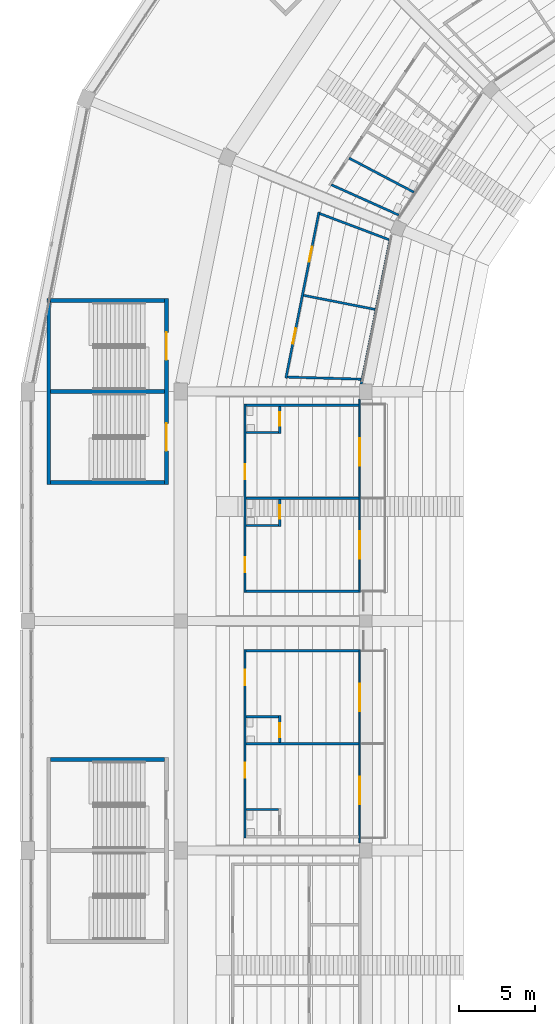
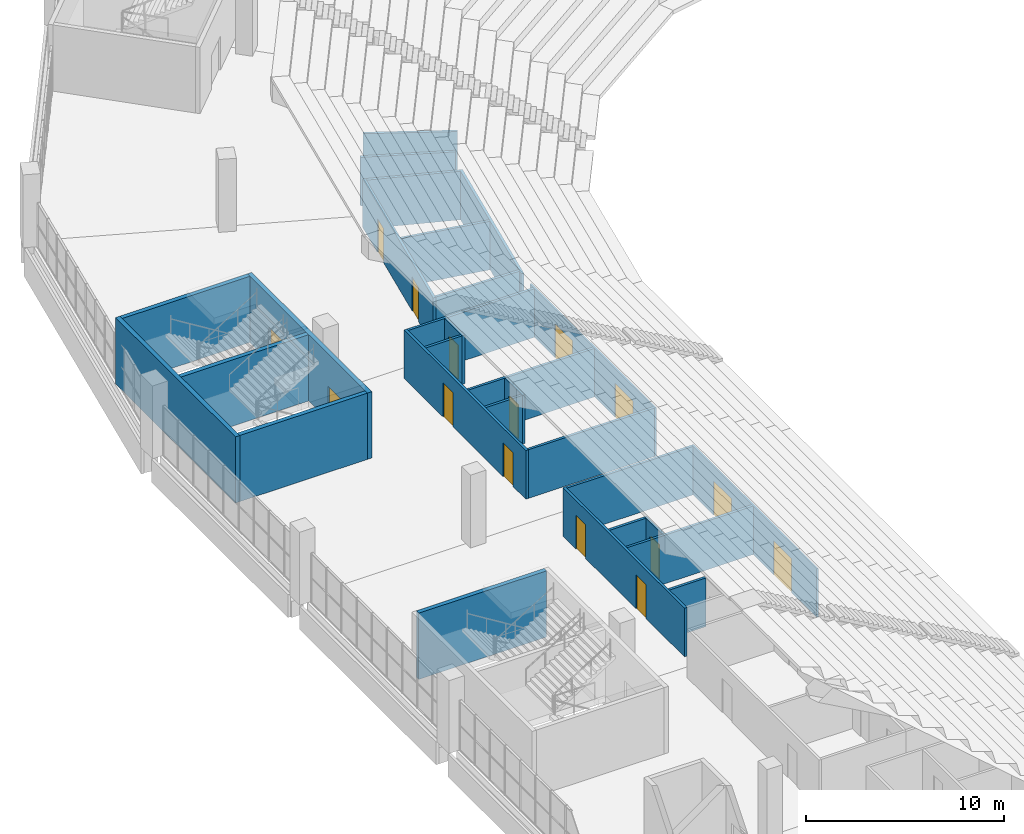
# One storey, part 94 of 249: 29 walls, 15 doors, 15 openings.
"""IFC4 building model written with IfcOpenShell, lengths in metres."""

from ifc_helpers import new_model, si_unit, direction, frame, frame_2d, origin, place, context, subcontext, project, spatial, rectangle, extrude, material, layer, layer_set, type_object, element, fill, save


model = new_model("IFC4")

# Units and contexts
model_context = context("Model", 3, precision=1e-05, world=origin(), true_north=direction((0.0, 1.0)))
body_context = subcontext(model_context, "Body", "Model", "MODEL_VIEW")
ifc_project = project(units=[si_unit("LENGTHUNIT", "METRE"), si_unit("AREAUNIT", "SQUARE_METRE"), si_unit("VOLUMEUNIT", "CUBIC_METRE"), si_unit("PLANEANGLEUNIT", "RADIAN"), si_unit("MASSUNIT", "GRAM", prefix="KILO")], contexts=[model_context])

# Site, building, storey
site_placement = place(None, origin())
site = spatial("IfcSite", under=ifc_project, at=site_placement, CompositionType="ELEMENT")
building_placement = place(site_placement, origin())
building = spatial("IfcBuilding", under=site, at=building_placement, Name="Ogive Plaza Stadium", CompositionType="ELEMENT")
storey_placement = place(building_placement, frame((0.0, 0.0, 13.5)))
storey = spatial("IfcBuildingStorey", under=building, at=storey_placement, Name="L03", CompositionType="ELEMENT", Elevation=13.5)

# Wall, openings, doors
ifc_material_1 = material(Name="Masonry blockwork", Category="masonry")
ifc_layer_1 = layer(ifc_material_1, 0.14990234375)
ifc_layer_set_1 = layer_set([ifc_layer_1], Name="Blockwork wall 150")
wall_type_1 = type_object("IfcWallType", Name="Blockwork wall 150", PredefinedType="SOLIDWALL", material=ifc_layer_set_1)
wall_1_placement = place(storey_placement, frame((-69.800048828125, 23.324951171875, 0.0), z_axis=(0.0, 0.0, 1.0), x_axis=(0.0, 1.0, 0.0)))
wall_1 = element("IfcWall", 1, at=wall_1_placement, inside=storey, type_object=wall_type_1, Name="Wall L03 B26", PredefinedType="SOLIDWALL", context=body_context, shape_type="SweptSolid", body=[
    extrude(rectangle(XDim=12.300048828125, YDim=0.14990234375, at=frame_2d((6.14990234375, 0.0))), origin(), (0.0, 0.0, 1.0), 3.0),
])
opening_1_placement = place(wall_1_placement, frame((3.916015625, 0.0, 0.0)))
opening_1 = element("IfcOpeningElement", 2, at=opening_1_placement, cuts=wall_1, Name="Opening D0853", PredefinedType="OPENING", context=body_context, shape_type="SweptSolid", body=[
    extrude(rectangle(XDim=1.0, YDim=2.10009765625, at=frame_2d((0.5, 1.050048828125))), frame((0.0, 0.074951171875, 0.0), z_axis=(0.0, -1.0, 0.0), x_axis=(1.0, 0.0, 0.0)), (0.0, 0.0, 1.0), 0.14990234375),
])
opening_2_placement = place(wall_1_placement, frame((9.990966796875, 0.0, 0.0)))
opening_2 = element("IfcOpeningElement", 3, at=opening_2_placement, cuts=wall_1, Name="Opening D0854", PredefinedType="OPENING", context=body_context, shape_type="SweptSolid", body=[
    extrude(rectangle(XDim=1.0, YDim=2.10009765625, at=frame_2d((0.5, 1.050048828125))), frame((0.0, 0.074951171875, 0.0), z_axis=(0.0, -1.0, 0.0), x_axis=(1.0, 0.0, 0.0)), (0.0, 0.0, 1.0), 0.14990234375),
])
ifc_material_2 = material(Name="Steel ASTM A572 Grade 50", Category="steel")
door_type_1 = type_object("IfcDoorType", Name="Fire door FD30S 1000 x 2100", OperationType="SINGLE_SWING_LEFT", PredefinedType="DOOR", material=ifc_material_2)
door_1_placement = place(opening_1_placement, origin())
door_1 = element("IfcDoor", 4, at=door_1_placement, inside=storey, type_object=door_type_1, Name="Hospitality Suite B26 door", OperationType="SINGLE_SWING_RIGHT", OverallHeight=2.10009765625, OverallWidth=1.0, PredefinedType="DOOR", context=body_context, shape_type="SweptSolid", body=[
    extrude(rectangle(XDim=1.0, YDim=2.10009765625, at=frame_2d((0.5, 1.050048828125))), frame((0.0, 0.02490234375, 0.0), z_axis=(0.0, -1.0, 0.0), x_axis=(1.0, 0.0, 0.0)), (0.0, 0.0, 1.0), 0.050048828125),
])
fill(opening_1, door_1)
door_2_placement = place(opening_2_placement, origin())
door_2 = element("IfcDoor", 5, at=door_2_placement, inside=storey, type_object=door_type_1, Name="Hospitality Suite B26 door", OperationType="SINGLE_SWING_RIGHT", OverallHeight=2.10009765625, OverallWidth=1.0, PredefinedType="DOOR", context=body_context, shape_type="SweptSolid", body=[
    extrude(rectangle(XDim=1.0, YDim=2.10009765625, at=frame_2d((0.5, 1.050048828125))), frame((0.0, 0.02490234375, 0.0), z_axis=(0.0, -1.0, 0.0), x_axis=(1.0, 0.0, 0.0)), (0.0, 0.0, 1.0), 0.050048828125),
])
fill(opening_2, door_2)

# Walls
for number, where, z_axis, x_axis, name in (
    (6, (-62.35009765625, 29.47509765625, 0.0), (0.0, 0.0, 1.0), (-1.0, 0.0, 0.0), "Wall L03 B26"),
    (7, (-62.35009765625, 35.550048828125, 0.0), (0.0, 0.0, 1.0), (-1.0, 0.0, 0.0), "Wall L03 B26"),
):
    element("IfcWall", number, at=place(storey_placement, frame(where, z_axis=z_axis, x_axis=x_axis)), inside=storey, type_object=wall_type_1, Name=name, PredefinedType="SOLIDWALL", context=body_context, shape_type="SweptSolid", body=[
        extrude(rectangle(XDim=7.375, YDim=0.14990234375, at=frame_2d((3.6875, 0.0))), origin(), (0.0, 0.0, 1.0), 3.0),
    ])

# Wall, openings, doors
wall_2_placement = place(storey_placement, frame((-69.800048828125, 51.675048828125, 0.0), z_axis=(0.0, 0.0, 1.0), x_axis=(0.0, -1.0, 0.0)))
wall_2 = element("IfcWall", 8, at=wall_2_placement, inside=storey, type_object=wall_type_1, Name="Wall L03 B27", PredefinedType="SOLIDWALL", context=body_context, shape_type="SweptSolid", body=[
    extrude(rectangle(XDim=12.300048828125, YDim=0.14990234375, at=frame_2d((6.14990234375, 0.0))), origin(), (0.0, 0.0, 1.0), 3.0),
])
opening_3_placement = place(wall_2_placement, frame((3.916015625, 0.0, 0.0)))
opening_3 = element("IfcOpeningElement", 9, at=opening_3_placement, cuts=wall_2, Name="Opening D0859", PredefinedType="OPENING", context=body_context, shape_type="SweptSolid", body=[
    extrude(rectangle(XDim=1.0, YDim=2.10009765625, at=frame_2d((0.5, 1.050048828125))), frame((0.0, 0.074951171875, 0.0), z_axis=(0.0, -1.0, 0.0), x_axis=(1.0, 0.0, 0.0)), (0.0, 0.0, 1.0), 0.14990234375),
])
opening_4_placement = place(wall_2_placement, frame((9.990966796875, 0.0, 0.0)))
opening_4 = element("IfcOpeningElement", 10, at=opening_4_placement, cuts=wall_2, Name="Opening D0860", PredefinedType="OPENING", context=body_context, shape_type="SweptSolid", body=[
    extrude(rectangle(XDim=1.0, YDim=2.10009765625, at=frame_2d((0.5, 1.050048828125))), frame((0.0, 0.074951171875, 0.0), z_axis=(0.0, -1.0, 0.0), x_axis=(1.0, 0.0, 0.0)), (0.0, 0.0, 1.0), 0.14990234375),
])
door_3_placement = place(opening_3_placement, origin())
door_3 = element("IfcDoor", 11, at=door_3_placement, inside=storey, type_object=door_type_1, Name="Hospitality Suite B27 door", OperationType="SINGLE_SWING_LEFT", OverallHeight=2.10009765625, OverallWidth=1.0, PredefinedType="DOOR", context=body_context, shape_type="SweptSolid", body=[
    extrude(rectangle(XDim=1.0, YDim=2.10009765625, at=frame_2d((0.5, 1.050048828125))), frame((0.0, 0.02490234375, 0.0), z_axis=(0.0, -1.0, 0.0), x_axis=(1.0, 0.0, 0.0)), (0.0, 0.0, 1.0), 0.050048828125),
])
fill(opening_3, door_3)
door_4_placement = place(opening_4_placement, origin())
door_4 = element("IfcDoor", 12, at=door_4_placement, inside=storey, type_object=door_type_1, Name="Hospitality Suite B27 door", OperationType="SINGLE_SWING_LEFT", OverallHeight=2.10009765625, OverallWidth=1.0, PredefinedType="DOOR", context=body_context, shape_type="SweptSolid", body=[
    extrude(rectangle(XDim=1.0, YDim=2.10009765625, at=frame_2d((0.5, 1.050048828125))), frame((0.0, 0.02490234375, 0.0), z_axis=(0.0, -1.0, 0.0), x_axis=(1.0, 0.0, 0.0)), (0.0, 0.0, 1.0), 0.050048828125),
])
fill(opening_4, door_4)

# Walls
for number, where, z_axis, x_axis, name in (
    (13, (-62.35009765625, 51.60009765625, 0.0), (0.0, 0.0, 1.0), (-1.0, 0.0, 0.0), "Wall L03 B27"),
    (14, (-62.35009765625, 45.52490234375, 0.0), (0.0, 0.0, 1.0), (-1.0, 0.0, 0.0), "Wall L03 B27"),
    (15, (-62.35009765625, 39.449951171875, 0.0), (0.0, 0.0, 1.0), (-1.0, 0.0, 0.0), "Wall L03 B27"),
):
    element("IfcWall", number, at=place(storey_placement, frame(where, z_axis=z_axis, x_axis=x_axis)), inside=storey, type_object=wall_type_1, Name=name, PredefinedType="SOLIDWALL", context=body_context, shape_type="SweptSolid", body=[
        extrude(rectangle(XDim=7.375, YDim=0.14990234375, at=frame_2d((3.6875, 0.0))), origin(), (0.0, 0.0, 1.0), 3.0),
    ])
wall_3_placement = place(storey_placement, frame((-62.200439453125, 53.0, 0.0), z_axis=(0.0, 0.0, 1.0), x_axis=(0.195076647143, 0.980788000406, 0.0)))
element("IfcWall", 16, at=wall_3_placement, inside=storey, type_object=wall_type_1, Name="Wall L03 B28", PredefinedType="SOLIDWALL", context=body_context, shape_type="SweptSolid", body=[
    extrude(rectangle(XDim=9.666748046875, YDim=0.14990234375, at=frame_2d((4.83349609375, 0.0))), origin(), (0.0, 0.0, 1.0), 3.0),
])

# Wall, openings, doors
wall_4_placement = place(storey_placement, frame((-67.1259765625, 53.374755859375, 0.0), z_axis=(0.0, 0.0, 1.0), x_axis=(0.195090821685, 0.980785181013, 0.0)))
wall_4 = element("IfcWall", 17, at=wall_4_placement, inside=storey, type_object=wall_type_1, Name="Wall L03 B28", PredefinedType="SOLIDWALL", context=body_context, shape_type="SweptSolid", body=[
    extrude(rectangle(XDim=11.08251953125, YDim=0.14990234375, at=frame_2d((5.541259765625, 0.0))), origin(), (0.0, 0.0, 1.0), 3.0),
])
opening_5_placement = place(wall_4_placement, frame((2.311279296875, 0.0, 0.0)))
opening_5 = element("IfcOpeningElement", 18, at=opening_5_placement, cuts=wall_4, Name="Opening D0865", PredefinedType="OPENING", context=body_context, shape_type="SweptSolid", body=[
    extrude(rectangle(XDim=1.0, YDim=2.10009765625, at=frame_2d((0.5, 1.050048828125))), frame((0.0, 0.074951171875, 0.0), z_axis=(0.0, -1.0, 0.0), x_axis=(1.0, 0.0, 0.0)), (0.0, 0.0, 1.0), 0.14990234375),
])
opening_6_placement = place(wall_4_placement, frame((7.771240234375, 0.0, 0.0)))
opening_6 = element("IfcOpeningElement", 19, at=opening_6_placement, cuts=wall_4, Name="Opening D0866", PredefinedType="OPENING", context=body_context, shape_type="SweptSolid", body=[
    extrude(rectangle(XDim=1.0, YDim=2.10009765625, at=frame_2d((0.5, 1.050048828125))), frame((0.0, 0.074951171875, 0.0), z_axis=(0.0, -1.0, 0.0), x_axis=(1.0, 0.0, 0.0)), (0.0, 0.0, 1.0), 0.14990234375),
])
ifc_material_3 = material(Name="Steel ASTM A572 Grade 50", Category="steel")
door_type_2 = type_object("IfcDoorType", Name="Fire door FD60 1000 x 2100", OperationType="SINGLE_SWING_LEFT", PredefinedType="DOOR", material=ifc_material_3)
door_5_placement = place(opening_5_placement, origin())
door_5 = element("IfcDoor", 20, at=door_5_placement, inside=storey, type_object=door_type_2, Name="Hospitality Pantry B28 door", OperationType="SINGLE_SWING_LEFT", OverallHeight=2.10009765625, OverallWidth=1.0, PredefinedType="DOOR", context=body_context, shape_type="SweptSolid", body=[
    extrude(rectangle(XDim=1.0, YDim=2.10009765625, at=frame_2d((0.5, 1.050048828125))), frame((0.0, 0.02490234375, 0.0), z_axis=(0.0, -1.0, 0.0), x_axis=(1.0, 0.0, 0.0)), (0.0, 0.0, 1.0), 0.050048828125),
])
fill(opening_5, door_5)
door_6_placement = place(opening_6_placement, origin())
door_6 = element("IfcDoor", 21, at=door_6_placement, inside=storey, type_object=door_type_2, Name="Hospitality Store B28 door", OperationType="SINGLE_SWING_RIGHT", OverallHeight=2.10009765625, OverallWidth=1.0, PredefinedType="DOOR", context=body_context, shape_type="SweptSolid", body=[
    extrude(rectangle(XDim=1.0, YDim=2.10009765625, at=frame_2d((0.5, 1.050048828125))), frame((0.0, 0.02490234375, 0.0), z_axis=(0.0, -1.0, 0.0), x_axis=(1.0, 0.0, 0.0)), (0.0, 0.0, 1.0), 0.050048828125),
])
fill(opening_6, door_6)

# Walls
wall_5_placement = place(storey_placement, frame((-62.213134765625, 53.313232421875, 0.0), z_axis=(0.0, 0.0, 1.0), x_axis=(-0.999585372371, 0.028793807365, 0.0)))
element("IfcWall", 22, at=wall_5_placement, inside=storey, type_object=wall_type_1, Name="Wall L03 B28", PredefinedType="SOLIDWALL", context=body_context, shape_type="SweptSolid", body=[
    extrude(rectangle(XDim=4.824462890625, YDim=0.14990234375, at=frame_2d((2.412109375, 0.0))), origin(), (0.0, 0.0, 1.0), 3.0),
])
wall_6_placement = place(storey_placement, frame((-61.3056640625, 57.87646484375, 0.0), z_axis=(0.0, 0.0, 1.0), x_axis=(-0.98116065749, 0.193193592529, 0.0)))
element("IfcWall", 23, at=wall_6_placement, inside=storey, type_object=wall_type_1, Name="Wall L03 B28", PredefinedType="SOLIDWALL", context=body_context, shape_type="SweptSolid", body=[
    extrude(rectangle(XDim=4.756591796875, YDim=0.14990234375, at=frame_2d((2.37841796875, 0.0))), origin(), (0.0, 0.0, 1.0), 3.0),
])
wall_7_placement = place(storey_placement, frame((-60.39794921875, 62.439697265625, 0.0), z_axis=(0.0, 0.0, 1.0), x_axis=(-0.935851757489, 0.35239393866, 0.0)))
element("IfcWall", 24, at=wall_7_placement, inside=storey, type_object=wall_type_1, Name="Wall L03 B28", PredefinedType="SOLIDWALL", context=body_context, shape_type="SweptSolid", body=[
    extrude(rectangle(XDim=4.8212890625, YDim=0.14990234375, at=frame_2d((2.41064453125, 0.0))), origin(), (0.0, 0.0, 1.0), 3.0),
])
ifc_material_4 = material(Name="Concrete C40/50", Category="concrete")
ifc_layer_2 = layer(ifc_material_4, 0.25)
ifc_layer_set_2 = layer_set([ifc_layer_2], Name="Concrete C40/50")
wall_type_2 = type_object("IfcWallType", Name="Core wall 250", PredefinedType="SHEAR", material=ifc_layer_set_2)
wall_8_placement = place(storey_placement, frame((-75.050048828125, 28.449951171875, 0.0), z_axis=(0.0, 0.0, 1.0), x_axis=(-1.0, 0.0, 0.0)))
element("IfcWall", 25, at=wall_8_placement, inside=storey, type_object=wall_type_2, Name="Stair core R26 side wall", PredefinedType="SHEAR", context=body_context, shape_type="SweptSolid", body=[
    extrude(rectangle(XDim=7.4599609375, YDim=0.25, at=frame_2d((3.72998046875, 0.0))), origin(), (0.0, 0.0, 1.0), 4.090087890625),
])

# Wall, openings, doors
wall_9_placement = place(storey_placement, frame((-74.925048828125, 58.574951171875, 0.0), z_axis=(0.0, 0.0, 1.0), x_axis=(0.0, -1.0, 0.0)))
wall_9 = element("IfcWall", 26, at=wall_9_placement, inside=storey, type_object=wall_type_2, Name="Stair core R28 inner wall", PredefinedType="SHEAR", context=body_context, shape_type="SweptSolid", body=[
    extrude(rectangle(XDim=12.14990234375, YDim=0.25, at=frame_2d((6.074951171875, 0.0))), origin(), (0.0, 0.0, 1.0), 4.090087890625),
])
opening_7_placement = place(wall_9_placement, frame((2.199951171875, 0.0, 0.0)))
opening_7 = element("IfcOpeningElement", 27, at=opening_7_placement, cuts=wall_9, Name="Opening D0215", PredefinedType="OPENING", context=body_context, shape_type="SweptSolid", body=[
    extrude(rectangle(XDim=1.800048828125, YDim=2.10009765625, at=frame_2d((0.89990234375, 1.050048828125))), frame((0.0, 0.125, 0.0), z_axis=(0.0, -1.0, 0.0), x_axis=(1.0, 0.0, 0.0)), (0.0, 0.0, 1.0), 0.25),
])
opening_8_placement = place(wall_9_placement, frame((8.14990234375, 0.0, 0.0)))
opening_8 = element("IfcOpeningElement", 28, at=opening_8_placement, cuts=wall_9, Name="Opening D0216", PredefinedType="OPENING", context=body_context, shape_type="SweptSolid", body=[
    extrude(rectangle(XDim=1.800048828125, YDim=2.10009765625, at=frame_2d((0.89990234375, 1.050048828125))), frame((0.0, 0.125, 0.0), z_axis=(0.0, -1.0, 0.0), x_axis=(1.0, 0.0, 0.0)), (0.0, 0.0, 1.0), 0.25),
])
ifc_material_5 = material(Name="Steel ASTM A572 Grade 50", Category="steel")
door_type_3 = type_object("IfcDoorType", Name="Fire door FD90 pair 1800 x 2100", OperationType="DOUBLE_DOOR_SINGLE_SWING", PredefinedType="DOOR", material=ifc_material_5)
door_7_placement = place(opening_7_placement, origin())
door_7 = element("IfcDoor", 29, at=door_7_placement, inside=storey, type_object=door_type_3, Name="Exit stair R28A door L03", OperationType="DOUBLE_DOOR_SINGLE_SWING", OverallHeight=2.10009765625, OverallWidth=1.800048828125, PredefinedType="DOOR", context=body_context, shape_type="SweptSolid", body=[
    extrude(rectangle(XDim=1.800048828125, YDim=2.10009765625, at=frame_2d((0.89990234375, 1.050048828125))), frame((0.0, 0.02490234375, 0.0), z_axis=(0.0, -1.0, 0.0), x_axis=(1.0, 0.0, 0.0)), (0.0, 0.0, 1.0), 0.050048828125),
])
fill(opening_7, door_7)
door_8_placement = place(opening_8_placement, origin())
door_8 = element("IfcDoor", 30, at=door_8_placement, inside=storey, type_object=door_type_3, Name="Exit stair R28B door L03", OperationType="DOUBLE_DOOR_SINGLE_SWING", OverallHeight=2.10009765625, OverallWidth=1.800048828125, PredefinedType="DOOR", context=body_context, shape_type="SweptSolid", body=[
    extrude(rectangle(XDim=1.800048828125, YDim=2.10009765625, at=frame_2d((0.89990234375, 1.050048828125))), frame((0.0, 0.02490234375, 0.0), z_axis=(0.0, -1.0, 0.0), x_axis=(1.0, 0.0, 0.0)), (0.0, 0.0, 1.0), 0.050048828125),
])
fill(opening_8, door_8)

# Walls
wall_10_placement = place(storey_placement, frame((-82.635009765625, 58.574951171875, 0.0), z_axis=(0.0, 0.0, 1.0), x_axis=(0.0, -1.0, 0.0)))
element("IfcWall", 31, at=wall_10_placement, inside=storey, type_object=wall_type_2, Name="Stair core R28 outer wall", PredefinedType="SHEAR", context=body_context, shape_type="SweptSolid", body=[
    extrude(rectangle(XDim=12.14990234375, YDim=0.25, at=frame_2d((6.074951171875, 0.0))), origin(), (0.0, 0.0, 1.0), 4.090087890625),
])
for number, where, z_axis, x_axis, name in (
    (32, (-75.050048828125, 58.449951171875, 0.0), (0.0, 0.0, 1.0), (-1.0, 0.0, 0.0), "Stair core R28 side wall"),
    (33, (-75.050048828125, 46.550048828125, 0.0), (0.0, 0.0, 1.0), (-1.0, 0.0, 0.0), "Stair core R28 side wall"),
    (34, (-75.050048828125, 52.5, 0.0), (0.0, 0.0, 1.0), (-1.0, 0.0, 0.0), "Stair core R28 centre wall"),
):
    element("IfcWall", number, at=place(storey_placement, frame(where, z_axis=z_axis, x_axis=x_axis)), inside=storey, type_object=wall_type_2, Name=name, PredefinedType="SHEAR", context=body_context, shape_type="SweptSolid", body=[
        extrude(rectangle(XDim=7.4599609375, YDim=0.25, at=frame_2d((3.72998046875, 0.0))), origin(), (0.0, 0.0, 1.0), 4.090087890625),
    ])

# Wall, openings, doors
ifc_material_6 = material(Name="Laminated glass in aluminium frame", Category="aluminium")
ifc_layer_3 = layer(ifc_material_6, 0.10009765625)
ifc_layer_set_3 = layer_set([ifc_layer_3], Name="Glazed partition 100")
wall_type_3 = type_object("IfcWallType", Name="Glazed partition 100", PredefinedType="PARTITIONING", material=ifc_layer_set_3)
wall_11_placement = place(storey_placement, frame((-62.300048828125, 23.0, 0.0), z_axis=(0.0, 0.0, 1.0), x_axis=(0.0, 1.0, 0.0)))
wall_11 = element("IfcWall", 35, at=wall_11_placement, inside=storey, type_object=wall_type_3, Name="Wall L03 B26", PredefinedType="PARTITIONING", context=body_context, shape_type="SweptSolid", body=[
    extrude(rectangle(XDim=12.625, YDim=0.10009765625, at=frame_2d((6.3125, 0.0))), origin(), (0.0, 0.0, 1.0), 3.0),
])
opening_9_placement = place(wall_11_placement, frame((2.53759765625, 0.0, 0.0)))
opening_9 = element("IfcOpeningElement", 36, at=opening_9_placement, cuts=wall_11, Name="Opening D0855", PredefinedType="OPENING", context=body_context, shape_type="SweptSolid", body=[
    extrude(rectangle(XDim=1.800048828125, YDim=2.10009765625, at=frame_2d((0.89990234375, 1.050048828125))), frame((0.0, 0.050048828125, 0.0), z_axis=(0.0, -1.0, 0.0), x_axis=(1.0, 0.0, 0.0)), (0.0, 0.0, 1.0), 0.10009765625),
])
opening_10_placement = place(wall_11_placement, frame((8.612548828125, 0.0, 0.0)))
opening_10 = element("IfcOpeningElement", 37, at=opening_10_placement, cuts=wall_11, Name="Opening D0856", PredefinedType="OPENING", context=body_context, shape_type="SweptSolid", body=[
    extrude(rectangle(XDim=1.800048828125, YDim=2.10009765625, at=frame_2d((0.89990234375, 1.050048828125))), frame((0.0, 0.050048828125, 0.0), z_axis=(0.0, -1.0, 0.0), x_axis=(1.0, 0.0, 0.0)), (0.0, 0.0, 1.0), 0.10009765625),
])
ifc_material_7 = material(Name="Steel ASTM A572 Grade 50", Category="steel")
door_type_4 = type_object("IfcDoorType", Name="Door pair 1800 x 2100", OperationType="DOUBLE_DOOR_SINGLE_SWING", PredefinedType="DOOR", material=ifc_material_7)
door_9_placement = place(opening_9_placement, origin())
door_9 = element("IfcDoor", 38, at=door_9_placement, inside=storey, type_object=door_type_4, Name="Suite terrace door B26", OperationType="DOUBLE_DOOR_SINGLE_SWING", OverallHeight=2.10009765625, OverallWidth=1.800048828125, PredefinedType="DOOR", context=body_context, shape_type="SweptSolid", body=[
    extrude(rectangle(XDim=1.800048828125, YDim=2.10009765625, at=frame_2d((0.89990234375, 1.050048828125))), frame((0.0, 0.02490234375, 0.0), z_axis=(0.0, -1.0, 0.0), x_axis=(1.0, 0.0, 0.0)), (0.0, 0.0, 1.0), 0.050048828125),
])
fill(opening_9, door_9)
door_10_placement = place(opening_10_placement, origin())
door_10 = element("IfcDoor", 39, at=door_10_placement, inside=storey, type_object=door_type_4, Name="Suite terrace door B26", OperationType="DOUBLE_DOOR_SINGLE_SWING", OverallHeight=2.10009765625, OverallWidth=1.800048828125, PredefinedType="DOOR", context=body_context, shape_type="SweptSolid", body=[
    extrude(rectangle(XDim=1.800048828125, YDim=2.10009765625, at=frame_2d((0.89990234375, 1.050048828125))), frame((0.0, 0.02490234375, 0.0), z_axis=(0.0, -1.0, 0.0), x_axis=(1.0, 0.0, 0.0)), (0.0, 0.0, 1.0), 0.050048828125),
])
fill(opening_10, door_10)

wall_12_placement = place(storey_placement, frame((-62.300048828125, 52.0, 0.0), z_axis=(0.0, 0.0, 1.0), x_axis=(0.0, -1.0, 0.0)))
wall_12 = element("IfcWall", 40, at=wall_12_placement, inside=storey, type_object=wall_type_3, Name="Wall L03 B27", PredefinedType="PARTITIONING", context=body_context, shape_type="SweptSolid", body=[
    extrude(rectangle(XDim=12.625, YDim=0.10009765625, at=frame_2d((6.3125, 0.0))), origin(), (0.0, 0.0, 1.0), 3.0),
])
opening_11_placement = place(wall_12_placement, frame((2.53759765625, 0.0, 0.0)))
opening_11 = element("IfcOpeningElement", 41, at=opening_11_placement, cuts=wall_12, Name="Opening D0861", PredefinedType="OPENING", context=body_context, shape_type="SweptSolid", body=[
    extrude(rectangle(XDim=1.800048828125, YDim=2.10009765625, at=frame_2d((0.89990234375, 1.050048828125))), frame((0.0, 0.050048828125, 0.0), z_axis=(0.0, -1.0, 0.0), x_axis=(1.0, 0.0, 0.0)), (0.0, 0.0, 1.0), 0.10009765625),
])
opening_12_placement = place(wall_12_placement, frame((8.612548828125, 0.0, 0.0)))
opening_12 = element("IfcOpeningElement", 42, at=opening_12_placement, cuts=wall_12, Name="Opening D0862", PredefinedType="OPENING", context=body_context, shape_type="SweptSolid", body=[
    extrude(rectangle(XDim=1.800048828125, YDim=2.10009765625, at=frame_2d((0.89990234375, 1.050048828125))), frame((0.0, 0.050048828125, 0.0), z_axis=(0.0, -1.0, 0.0), x_axis=(1.0, 0.0, 0.0)), (0.0, 0.0, 1.0), 0.10009765625),
])
door_11_placement = place(opening_11_placement, origin())
door_11 = element("IfcDoor", 43, at=door_11_placement, inside=storey, type_object=door_type_4, Name="Suite terrace door B27", OperationType="DOUBLE_DOOR_SINGLE_SWING", OverallHeight=2.10009765625, OverallWidth=1.800048828125, PredefinedType="DOOR", context=body_context, shape_type="SweptSolid", body=[
    extrude(rectangle(XDim=1.800048828125, YDim=2.10009765625, at=frame_2d((0.89990234375, 1.050048828125))), frame((0.0, 0.02490234375, 0.0), z_axis=(0.0, -1.0, 0.0), x_axis=(1.0, 0.0, 0.0)), (0.0, 0.0, 1.0), 0.050048828125),
])
fill(opening_11, door_11)
door_12_placement = place(opening_12_placement, origin())
door_12 = element("IfcDoor", 44, at=door_12_placement, inside=storey, type_object=door_type_4, Name="Suite terrace door B27", OperationType="DOUBLE_DOOR_SINGLE_SWING", OverallHeight=2.10009765625, OverallWidth=1.800048828125, PredefinedType="DOOR", context=body_context, shape_type="SweptSolid", body=[
    extrude(rectangle(XDim=1.800048828125, YDim=2.10009765625, at=frame_2d((0.89990234375, 1.050048828125))), frame((0.0, 0.02490234375, 0.0), z_axis=(0.0, -1.0, 0.0), x_axis=(1.0, 0.0, 0.0)), (0.0, 0.0, 1.0), 0.050048828125),
])
fill(opening_12, door_12)

# Wall
ifc_material_8 = material(Name="Gypsum board partition", Category="gypsum")
ifc_layer_4 = layer(ifc_material_8, 0.14990234375)
ifc_layer_set_4 = layer_set([ifc_layer_4], Name="Partition 150")
wall_type_4 = type_object("IfcWallType", Name="Partition 150", PredefinedType="PARTITIONING", material=ifc_layer_set_4)
wall_13_placement = place(storey_placement, frame((-67.60009765625, 25.175048828125, 0.0), z_axis=(0.0, 0.0, 1.0), x_axis=(-1.0, 0.0, 0.0)))
element("IfcWall", 45, at=wall_13_placement, inside=storey, type_object=wall_type_4, Name="Wall L03 B26", PredefinedType="PARTITIONING", context=body_context, shape_type="SweptSolid", body=[
    extrude(rectangle(XDim=2.125, YDim=0.14990234375, at=frame_2d((1.0625, 0.0))), origin(), (0.0, 0.0, 1.0), 3.0),
])

# Wall, opening, door
wall_14_placement = place(storey_placement, frame((-67.52490234375, 29.550048828125, 0.0), z_axis=(0.0, 0.0, 1.0), x_axis=(0.0, 1.0, 0.0)))
wall_14 = element("IfcWall", 46, at=wall_14_placement, inside=storey, type_object=wall_type_4, Name="Wall L03 B26", PredefinedType="PARTITIONING", context=body_context, shape_type="SweptSolid", body=[
    extrude(rectangle(XDim=1.77490234375, YDim=0.14990234375, at=frame_2d((0.887451171875, 0.0))), origin(), (0.0, 0.0, 1.0), 3.0),
])
opening_13_placement = place(wall_14_placement, frame((0.362548828125, 0.0, 0.0)))
opening_13 = element("IfcOpeningElement", 47, at=opening_13_placement, cuts=wall_14, Name="Opening D0858", PredefinedType="OPENING", context=body_context, shape_type="SweptSolid", body=[
    extrude(rectangle(XDim=0.89990234375, YDim=2.10009765625, at=frame_2d((0.449951171875, 1.050048828125))), frame((0.0, 0.074951171875, 0.0), z_axis=(0.0, -1.0, 0.0), x_axis=(1.0, 0.0, 0.0)), (0.0, 0.0, 1.0), 0.14990234375),
])
ifc_material_9 = material(Name="Steel ASTM A572 Grade 50", Category="steel")
door_type_5 = type_object("IfcDoorType", Name="Door 900 x 2100", OperationType="SINGLE_SWING_LEFT", PredefinedType="DOOR", material=ifc_material_9)
door_13_placement = place(opening_13_placement, origin())
door_13 = element("IfcDoor", 48, at=door_13_placement, inside=storey, type_object=door_type_5, Name="Suite WC B26 door", OperationType="SINGLE_SWING_RIGHT", OverallHeight=2.10009765625, OverallWidth=0.89990234375, PredefinedType="DOOR", context=body_context, shape_type="SweptSolid", body=[
    extrude(rectangle(XDim=0.89990234375, YDim=2.10009765625, at=frame_2d((0.449951171875, 1.050048828125))), frame((0.0, 0.02490234375, 0.0), z_axis=(0.0, -1.0, 0.0), x_axis=(1.0, 0.0, 0.0)), (0.0, 0.0, 1.0), 0.050048828125),
])
fill(opening_13, door_13)

# Wall
wall_15_placement = place(storey_placement, frame((-67.60009765625, 31.25, 0.0), z_axis=(0.0, 0.0, 1.0), x_axis=(-1.0, 0.0, 0.0)))
element("IfcWall", 49, at=wall_15_placement, inside=storey, type_object=wall_type_4, Name="Wall L03 B26", PredefinedType="PARTITIONING", context=body_context, shape_type="SweptSolid", body=[
    extrude(rectangle(XDim=2.125, YDim=0.14990234375, at=frame_2d((1.0625, 0.0))), origin(), (0.0, 0.0, 1.0), 3.0),
])

# Wall, opening, door
wall_16_placement = place(storey_placement, frame((-67.52490234375, 51.52490234375, 0.0), z_axis=(0.0, 0.0, 1.0), x_axis=(0.0, -1.0, 0.0)))
wall_16 = element("IfcWall", 50, at=wall_16_placement, inside=storey, type_object=wall_type_4, Name="Wall L03 B27", PredefinedType="PARTITIONING", context=body_context, shape_type="SweptSolid", body=[
    extrude(rectangle(XDim=1.77490234375, YDim=0.14990234375, at=frame_2d((0.887451171875, 0.0))), origin(), (0.0, 0.0, 1.0), 3.0),
])
opening_14_placement = place(wall_16_placement, frame((0.362548828125, 0.0, 0.0)))
opening_14 = element("IfcOpeningElement", 51, at=opening_14_placement, cuts=wall_16, Name="Opening D0863", PredefinedType="OPENING", context=body_context, shape_type="SweptSolid", body=[
    extrude(rectangle(XDim=0.89990234375, YDim=2.10009765625, at=frame_2d((0.449951171875, 1.050048828125))), frame((0.0, 0.074951171875, 0.0), z_axis=(0.0, -1.0, 0.0), x_axis=(1.0, 0.0, 0.0)), (0.0, 0.0, 1.0), 0.14990234375),
])
door_14_placement = place(opening_14_placement, origin())
door_14 = element("IfcDoor", 52, at=door_14_placement, inside=storey, type_object=door_type_5, Name="Suite WC B27 door", OperationType="SINGLE_SWING_RIGHT", OverallHeight=2.10009765625, OverallWidth=0.89990234375, PredefinedType="DOOR", context=body_context, shape_type="SweptSolid", body=[
    extrude(rectangle(XDim=0.89990234375, YDim=2.10009765625, at=frame_2d((0.449951171875, 1.050048828125))), frame((0.0, 0.02490234375, 0.0), z_axis=(0.0, -1.0, 0.0), x_axis=(1.0, 0.0, 0.0)), (0.0, 0.0, 1.0), 0.050048828125),
])
fill(opening_14, door_14)

# Wall
wall_17_placement = place(storey_placement, frame((-67.60009765625, 49.824951171875, 0.0), z_axis=(0.0, 0.0, 1.0), x_axis=(-1.0, 0.0, 0.0)))
element("IfcWall", 53, at=wall_17_placement, inside=storey, type_object=wall_type_4, Name="Wall L03 B27", PredefinedType="PARTITIONING", context=body_context, shape_type="SweptSolid", body=[
    extrude(rectangle(XDim=2.125, YDim=0.14990234375, at=frame_2d((1.0625, 0.0))), origin(), (0.0, 0.0, 1.0), 3.0),
])

# Wall, opening, door
wall_18_placement = place(storey_placement, frame((-67.52490234375, 45.449951171875, 0.0), z_axis=(0.0, 0.0, 1.0), x_axis=(0.0, -1.0, 0.0)))
wall_18 = element("IfcWall", 54, at=wall_18_placement, inside=storey, type_object=wall_type_4, Name="Wall L03 B27", PredefinedType="PARTITIONING", context=body_context, shape_type="SweptSolid", body=[
    extrude(rectangle(XDim=1.77490234375, YDim=0.14990234375, at=frame_2d((0.887451171875, 0.0))), origin(), (0.0, 0.0, 1.0), 3.0),
])
opening_15_placement = place(wall_18_placement, frame((0.362548828125, 0.0, 0.0)))
opening_15 = element("IfcOpeningElement", 55, at=opening_15_placement, cuts=wall_18, Name="Opening D0864", PredefinedType="OPENING", context=body_context, shape_type="SweptSolid", body=[
    extrude(rectangle(XDim=0.89990234375, YDim=2.10009765625, at=frame_2d((0.449951171875, 1.050048828125))), frame((0.0, 0.074951171875, 0.0), z_axis=(0.0, -1.0, 0.0), x_axis=(1.0, 0.0, 0.0)), (0.0, 0.0, 1.0), 0.14990234375),
])
door_15_placement = place(opening_15_placement, origin())
door_15 = element("IfcDoor", 56, at=door_15_placement, inside=storey, type_object=door_type_5, Name="Suite WC B27 door", OperationType="SINGLE_SWING_LEFT", OverallHeight=2.10009765625, OverallWidth=0.89990234375, PredefinedType="DOOR", context=body_context, shape_type="SweptSolid", body=[
    extrude(rectangle(XDim=0.89990234375, YDim=2.10009765625, at=frame_2d((0.449951171875, 1.050048828125))), frame((0.0, 0.02490234375, 0.0), z_axis=(0.0, -1.0, 0.0), x_axis=(1.0, 0.0, 0.0)), (0.0, 0.0, 1.0), 0.050048828125),
])
fill(opening_15, door_15)

# Walls
wall_19_placement = place(storey_placement, frame((-67.60009765625, 43.75, 0.0), z_axis=(0.0, 0.0, 1.0), x_axis=(-1.0, 0.0, 0.0)))
element("IfcWall", 57, at=wall_19_placement, inside=storey, type_object=wall_type_4, Name="Wall L03 B27", PredefinedType="PARTITIONING", context=body_context, shape_type="SweptSolid", body=[
    extrude(rectangle(XDim=2.125, YDim=0.14990234375, at=frame_2d((1.0625, 0.0))), origin(), (0.0, 0.0, 1.0), 3.0),
])
wall_20_placement = place(storey_placement, frame((-58.7607421875, 65.53515625, 0.0), z_axis=(0.0, 0.0, 1.0), x_axis=(-0.884880573932, 0.465817957874, 0.0)))
element("IfcWall", 58, at=wall_20_placement, inside=storey, type_object=wall_type_4, Name="Wall L03 B29", PredefinedType="PARTITIONING", context=body_context, shape_type="SweptSolid", body=[
    extrude(rectangle(XDim=4.782958984375, YDim=0.14990234375, at=frame_2d((2.3916015625, 0.0))), origin(), (0.0, 0.0, 1.0), 3.0),
])
wall_21_placement = place(storey_placement, frame((-59.75439453125, 64.048095703125, 0.0), z_axis=(0.0, 0.0, 1.0), x_axis=(-0.912468935825, 0.409145990025, 0.0)))
element("IfcWall", 59, at=wall_21_placement, inside=storey, type_object=wall_type_4, Name="Wall L03 B29", PredefinedType="PARTITIONING", context=body_context, shape_type="SweptSolid", body=[
    extrude(rectangle(XDim=4.824462890625, YDim=0.14990234375, at=frame_2d((2.412109375, 0.0))), origin(), (0.0, 0.0, 1.0), 3.0),
])

save(model, "model.ifc")
